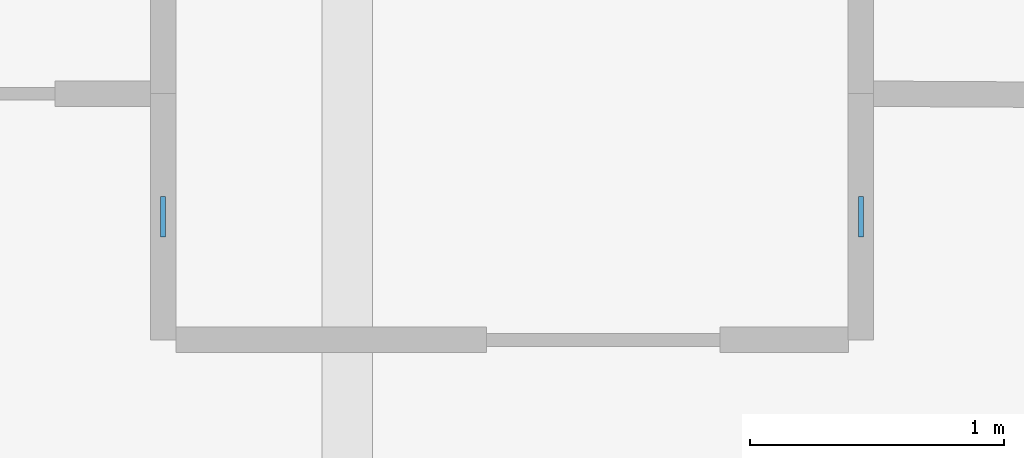
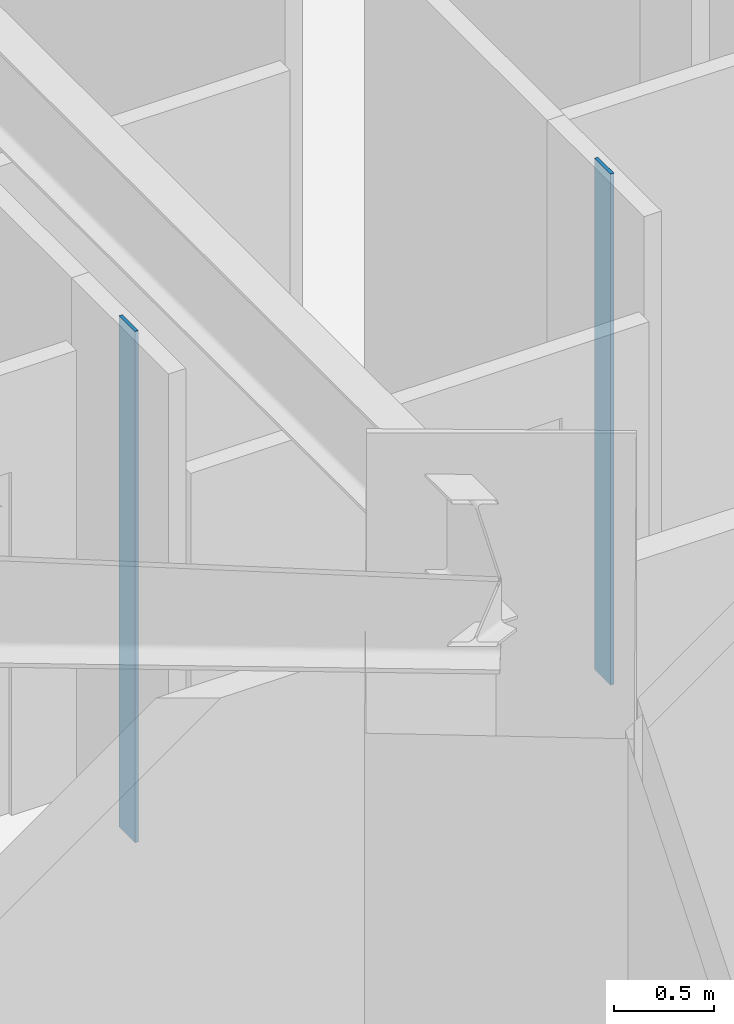
# One storey, part 4 of 13: 2 plates.
"""IFC4 building model written with IfcOpenShell, lengths in metres."""

from ifc_helpers import new_model, si_unit, direction, frame, origin, origin_2d, place, context, subcontext, project, spatial, rectangle, extrude, material, layer, layer_set, type_object, element, save


model = new_model("IFC4")

# Units and contexts
model_context = context("Model", 3, precision=1e-05, world=origin(), true_north=direction((0.0, 1.0)))
body_context = subcontext(model_context, "Body", "Model", "MODEL_VIEW")
ifc_project = project(units=[si_unit("LENGTHUNIT", "METRE"), si_unit("AREAUNIT", "SQUARE_METRE"), si_unit("VOLUMEUNIT", "CUBIC_METRE"), si_unit("PLANEANGLEUNIT", "RADIAN"), si_unit("MASSUNIT", "GRAM", prefix="KILO")], contexts=[model_context])

# Site, building, storey
site_placement = place(None, origin())
site = spatial("IfcSite", under=ifc_project, at=site_placement, CompositionType="ELEMENT")
building_placement = place(site_placement, origin())
building = spatial("IfcBuilding", under=site, at=building_placement, Name="Miruveldt Soraemaru", CompositionType="ELEMENT")
storey_placement = place(building_placement, frame((0.0, 0.0, 76.800048828125)))
storey = spatial("IfcBuildingStorey", under=building, at=storey_placement, Name="L21", CompositionType="ELEMENT", Elevation=76.800048828125)

# Plates
ifc_material = material(Name="Anodised aluminium EN AW-6063 T6", Category="aluminium")
ifc_layer = layer(ifc_material, 0.02001953125, Name="Anodised aluminium EN AW-6063 T6", Category="aluminium")
ifc_layer_set = layer_set([ifc_layer], Name="Anodised aluminium EN AW-6063 T6")
plate_type = type_object("IfcPlateType", Name="PLT-PART-TRIM", PredefinedType="SHEET", material=ifc_layer_set)
for number, where, z_axis, x_axis, name in (
    (1, (63.3798828125, 35.364990234375, 0.0), (0.0, 0.0, 1.0), (0.0, 1.0, 0.0), "L21 Partition Step Corner Trim Plate 065"),
    (2, (60.6298828125, 35.364990234375, 0.0), (0.0, 0.0, 1.0), (0.0, -1.0, 0.0), "L21 Partition Step Corner Trim Plate 066"),
):
    element("IfcPlate", number, at=place(storey_placement, frame(where, z_axis=z_axis, x_axis=x_axis)), inside=storey, type_object=plate_type, Name=name, PredefinedType="SHEET", context=body_context, shape_type="SweptSolid", body=[
        extrude(rectangle(XDim=0.159912109375, YDim=0.02001953125, at=origin_2d()), origin(), (0.0, 0.0, 1.0), 3.125),
    ])

save(model, "model.ifc")
